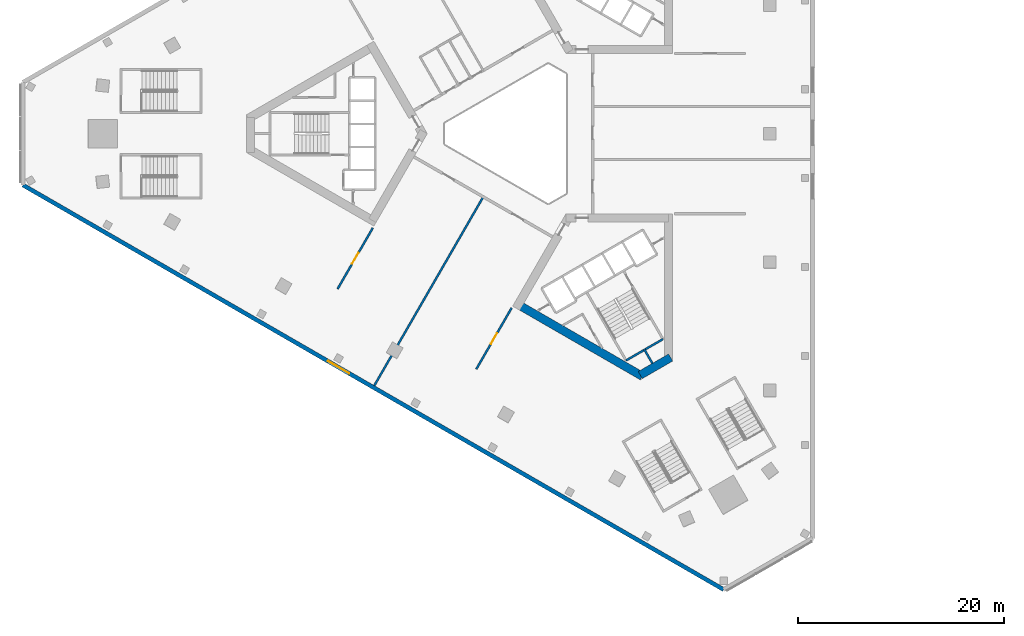
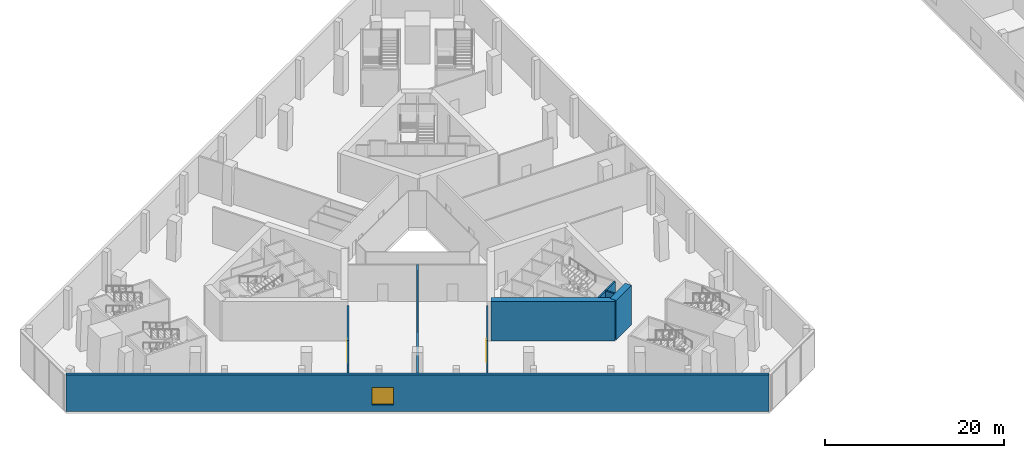
# One storey, part 7 of 35: 8 walls, 2 doors, 1 window, 3 openings.
"""IFC4 building model written with IfcOpenShell, lengths in metres."""

from ifc_helpers import new_model, si_unit, direction, frame, frame_2d, origin, place, context, subcontext, project, spatial, rectangle, extrude, material, layer, layer_set, type_object, element, fill, save


model = new_model("IFC4")

# Units and contexts
model_context = context("Model", 3, precision=1e-05, world=origin(), true_north=direction((0.0, 1.0)))
body_context = subcontext(model_context, "Body", "Model", "MODEL_VIEW")
ifc_project = project(units=[si_unit("LENGTHUNIT", "METRE"), si_unit("AREAUNIT", "SQUARE_METRE"), si_unit("VOLUMEUNIT", "CUBIC_METRE"), si_unit("PLANEANGLEUNIT", "RADIAN"), si_unit("MASSUNIT", "GRAM", prefix="KILO")], contexts=[model_context])

# Site, building, storey
site_placement = place(None, origin())
site = spatial("IfcSite", under=ifc_project, at=site_placement, CompositionType="ELEMENT")
building_placement = place(site_placement, origin())
building = spatial("IfcBuilding", under=site, at=building_placement, Name="Jabali Bay Hotel Tower and Convention Centre", CompositionType="ELEMENT")
storey_placement = place(building_placement, frame((0.0, 0.0, 15.0)))
storey = spatial("IfcBuildingStorey", under=building, at=storey_placement, Name="L02", CompositionType="ELEMENT", Elevation=15.0)

# Walls
ifc_material_1 = material(Name="Concrete C40", Category="concrete")
ifc_layer_1 = layer(ifc_material_1, 0.199951171875)
ifc_layer_set_1 = layer_set([ifc_layer_1], Name="Concrete C40")
wall_type_1 = type_object("IfcWallType", Name="Core partition wall 200", PredefinedType="PARTITIONING", material=ifc_layer_set_1)
wall_1_placement = place(storey_placement, frame((87.090087890625, 59.0595703125, 0.0), z_axis=(0.0, 0.0, 1.0), x_axis=(0.499956811548, -0.866050337213, 0.0)))
element("IfcWall", 1, at=wall_1_placement, inside=storey, type_object=wall_type_1, Name="Core wall 2.5 L02", PredefinedType="PARTITIONING", context=body_context, shape_type="SweptSolid", body=[
    extrude(rectangle(XDim=1.623291015625, YDim=0.199951171875, at=frame_2d((0.8115234375, 0.0))), origin(), (0.0, 0.0, 1.0), 5.0),
])
ifc_layer_2 = layer(ifc_material_1, 0.199951171875)
ifc_layer_set_2 = layer_set([ifc_layer_2], Name="Concrete C40")
wall_type_2 = type_object("IfcWallType", Name="Core stair wall 200", PredefinedType="SOLIDWALL", material=ifc_layer_set_2)
wall_2_placement = place(storey_placement, frame((85.343017578125, 57.935302734375, 0.0), z_axis=(0.0, 0.0, 1.0), x_axis=(0.866004344652, 0.500036473714, 0.0)))
element("IfcWall", 2, at=wall_2_placement, inside=storey, type_object=wall_type_2, Name="Core wall 2.17 L02", PredefinedType="SOLIDWALL", context=body_context, shape_type="SweptSolid", body=[
    extrude(rectangle(XDim=4.150146484375, YDim=0.199951171875, at=frame_2d((2.0751953125, 0.0))), origin(), (0.0, 0.0, 1.0), 5.0),
])
ifc_material_2 = material(Name="Concrete C60", Category="concrete")
ifc_layer_3 = layer(ifc_material_2, 0.800048828125)
ifc_layer_set_3 = layer_set([ifc_layer_3], Name="Concrete C60")
wall_type_3 = type_object("IfcWallType", Name="Core wall 800", PredefinedType="SHEAR", material=ifc_layer_set_3)
wall_3_placement = place(storey_placement, frame((74.8564453125, 63.36279296875, 0.0), z_axis=(0.0, 0.0, 1.0), x_axis=(0.866029478545, -0.499992942241, 0.0)))
element("IfcWall", 3, at=wall_3_placement, inside=storey, type_object=wall_type_3, Name="Core wall 3.2 L02", PredefinedType="SHEAR", context=body_context, shape_type="SweptSolid", body=[
    extrude(rectangle(XDim=13.933349609375, YDim=0.800048828125, at=frame_2d((6.966796875, 0.0))), origin(), (0.0, 0.0, 1.0), 5.39990234375),
])
wall_4_placement = place(storey_placement, frame((86.72314453125, 56.51171875, 0.0), z_axis=(0.0, 0.0, 1.0), x_axis=(0.866034355626, 0.499984494636, 0.0)))
element("IfcWall", 4, at=wall_4_placement, inside=storey, type_object=wall_type_3, Name="Core wall 3.3 L02", PredefinedType="SHEAR", context=body_context, shape_type="SweptSolid", body=[
    extrude(rectangle(XDim=3.4140625, YDim=0.800048828125, at=frame_2d((1.70703125, 0.0))), origin(), (0.0, 0.0, 1.0), 5.39990234375),
])
ifc_material_3 = material(Name="Plasterboard on steel stud", Category="steel")
ifc_layer_4 = layer(ifc_material_3, 0.199951171875)
ifc_layer_set_4 = layer_set([ifc_layer_4], Name="Plasterboard on steel stud")
wall_type_4 = type_object("IfcWallType", Name="Partition 200 party", PredefinedType="PARTITIONING", material=ifc_layer_set_4)
wall_5_placement = place(storey_placement, frame((60.849609375, 55.49072265625, 0.0), z_axis=(0.0, 0.0, 1.0), x_axis=(0.499994584841, 0.866028530205, 0.0)))
element("IfcWall", 5, at=wall_5_placement, inside=storey, type_object=wall_type_4, Name="Partition P01 L02 012", PredefinedType="PARTITIONING", context=body_context, shape_type="SweptSolid", body=[
    extrude(rectangle(XDim=21.200927734375, YDim=0.199951171875, at=frame_2d((10.6005859375, 0.0))), origin(), (0.0, 0.0, 1.0), 5.0),
])

# Wall, opening, door
wall_6_placement = place(storey_placement, frame((60.71044921875, 70.83837890625, 0.0), z_axis=(0.0, 0.0, 1.0), x_axis=(-0.499985838573, -0.866033579734, 0.0)))
wall_6 = element("IfcWall", 6, at=wall_6_placement, inside=storey, type_object=wall_type_4, Name="Partition P01 L02 013", PredefinedType="PARTITIONING", context=body_context, shape_type="SweptSolid", body=[
    extrude(rectangle(XDim=6.873779296875, YDim=0.199951171875, at=frame_2d((3.43701171875, 0.0))), origin(), (0.0, 0.0, 1.0), 5.0),
])
opening_1_placement = place(wall_6_placement, frame((2.8369140625, 0.0, 0.0)))
opening_1 = element("IfcOpeningElement", 7, at=opening_1_placement, cuts=wall_6, Name="Opening 0211", PredefinedType="OPENING", context=body_context, shape_type="SweptSolid", body=[
    extrude(rectangle(XDim=1.199951171875, YDim=2.39990234375, at=frame_2d((0.60009765625, 1.199951171875))), frame((0.0, 0.1103515625, 0.0), z_axis=(0.0, -1.0, 0.0), x_axis=(1.0, 0.0, 0.0)), (0.0, 0.0, 1.0), 0.220947265625),
])
ifc_material_4 = material(Name="Timber", Category="wood")
door_type = type_object("IfcDoorType", Name="Public room door 1200 x 2400", OperationType="NOTDEFINED", PredefinedType="NOTDEFINED", material=ifc_material_4)
door_1_placement = place(opening_1_placement, origin())
door_1 = element("IfcDoor", 8, at=door_1_placement, inside=storey, type_object=door_type, Name="Door 0211", OperationType="SINGLE_SWING_RIGHT", OverallHeight=2.39990234375, OverallWidth=1.199951171875, PredefinedType="NOTDEFINED", context=body_context, shape_type="SweptSolid", body=[
    extrude(rectangle(XDim=1.199951171875, YDim=2.39990234375, at=frame_2d((0.60009765625, 1.199951171875))), frame((0.0, 0.02490234375, 0.0), z_axis=(0.0, -1.0, 0.0), x_axis=(1.0, 0.0, 0.0)), (0.0, 0.0, 1.0), 0.050048828125),
])
fill(opening_1, door_1)

wall_7_placement = place(storey_placement, frame((70.773681640625, 57.091064453125, 0.0), z_axis=(0.0, 0.0, 1.0), x_axis=(0.499970459544, 0.866042458303, 0.0)))
wall_7 = element("IfcWall", 9, at=wall_7_placement, inside=storey, type_object=wall_type_4, Name="Partition P01 L02 014", PredefinedType="PARTITIONING", context=body_context, shape_type="SweptSolid", body=[
    extrude(rectangle(XDim=6.8740234375, YDim=0.199951171875, at=frame_2d((3.43701171875, 0.0))), origin(), (0.0, 0.0, 1.0), 5.0),
])
opening_2_placement = place(wall_7_placement, frame((2.8369140625, 0.0, 0.0)))
opening_2 = element("IfcOpeningElement", 10, at=opening_2_placement, cuts=wall_7, Name="Opening 0214", PredefinedType="OPENING", context=body_context, shape_type="SweptSolid", body=[
    extrude(rectangle(XDim=1.199951171875, YDim=2.39990234375, at=frame_2d((0.60009765625, 1.199951171875))), frame((0.0, 0.1103515625, 0.0), z_axis=(0.0, -1.0, 0.0), x_axis=(1.0, 0.0, 0.0)), (0.0, 0.0, 1.0), 0.220947265625),
])
door_2_placement = place(opening_2_placement, origin())
door_2 = element("IfcDoor", 11, at=door_2_placement, inside=storey, type_object=door_type, Name="Door 0214", OperationType="SINGLE_SWING_RIGHT", OverallHeight=2.39990234375, OverallWidth=1.199951171875, PredefinedType="NOTDEFINED", context=body_context, shape_type="SweptSolid", body=[
    extrude(rectangle(XDim=1.199951171875, YDim=2.39990234375, at=frame_2d((0.60009765625, 1.199951171875))), frame((0.0, 0.02490234375, 0.0), z_axis=(0.0, -1.0, 0.0), x_axis=(1.0, 0.0, 0.0)), (0.0, 0.0, 1.0), 0.050048828125),
])
fill(opening_2, door_2)

# Wall, opening, window
ifc_layer_5 = layer(ifc_material_1, 0.39990234375)
ifc_layer_set_5 = layer_set([ifc_layer_5], Name="Concrete C40")
wall_type_5 = type_object("IfcWallType", Name="Podium external wall 400", PredefinedType="SOLIDWALL", material=ifc_layer_set_5)
wall_8_placement = place(storey_placement, frame((94.83984375, 35.636474609375, 0.0), z_axis=(0.0, 0.0, 1.0), x_axis=(-0.866025599265, 0.499999661418, 0.0)))
wall_8 = element("IfcWall", 12, at=wall_8_placement, inside=storey, type_object=wall_type_5, Name="External wall south-west face L02", PredefinedType="SOLIDWALL", context=body_context, shape_type="SweptSolid", body=[
    extrude(rectangle(XDim=78.72705078125, YDim=0.39990234375, at=frame_2d((39.363525390625, 0.0))), origin(), (0.0, 0.0, 1.0), 5.0),
])
opening_3_placement = place(wall_8_placement, frame((42.060546875, 0.0, 0.89990234375)))
opening_3 = element("IfcOpeningElement", 13, at=opening_3_placement, cuts=wall_8, Name="Opening W3", PredefinedType="OPENING", context=body_context, shape_type="SweptSolid", body=[
    extrude(rectangle(XDim=2.39990234375, YDim=2.39990234375, at=frame_2d((1.199951171875, 1.199951171875))), frame((0.0, 0.21044921875, 0.0), z_axis=(0.0, -1.0, 0.0), x_axis=(1.0, 0.0, 0.0)), (0.0, 0.0, 1.0), 0.4208984375),
])
ifc_material_5 = material(Name="Glass", Category="glass")
window_type = type_object("IfcWindowType", Name="Podium window 2400 x 2400", PartitioningType="SINGLE_PANEL", PredefinedType="WINDOW", material=ifc_material_5)
window_placement = place(opening_3_placement, origin())
window = element("IfcWindow", 14, at=window_placement, inside=storey, type_object=window_type, Name="Window", OverallHeight=2.39990234375, OverallWidth=2.39990234375, PartitioningType="SINGLE_PANEL", PredefinedType="WINDOW", context=body_context, shape_type="SweptSolid", body=[
    extrude(rectangle(XDim=2.39990234375, YDim=2.39990234375, at=frame_2d((1.199951171875, 1.199951171875))), frame((0.0, 0.030029296875, 0.0), z_axis=(0.0, -1.0, 0.0), x_axis=(1.0, 0.0, 0.0)), (0.0, 0.0, 1.0), 0.06005859375),
])
fill(opening_3, window)

save(model, "model.ifc")
